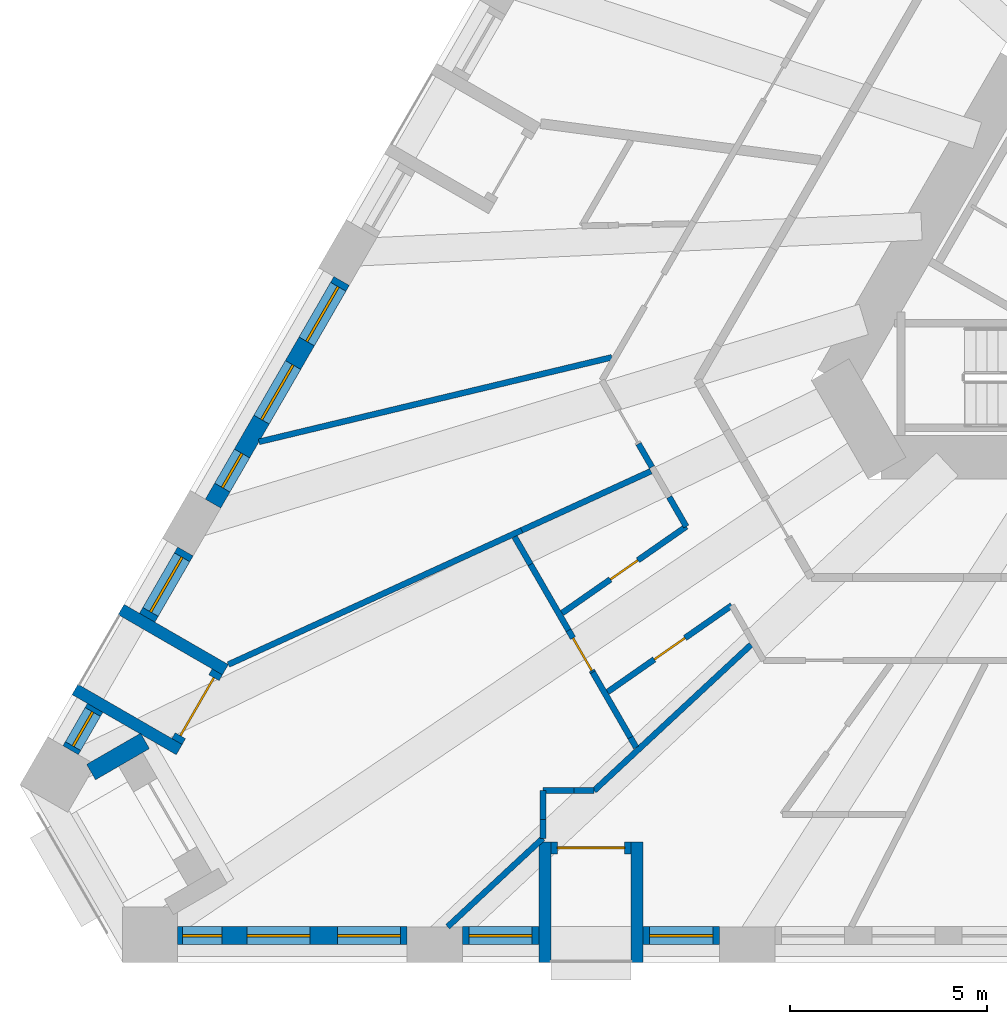
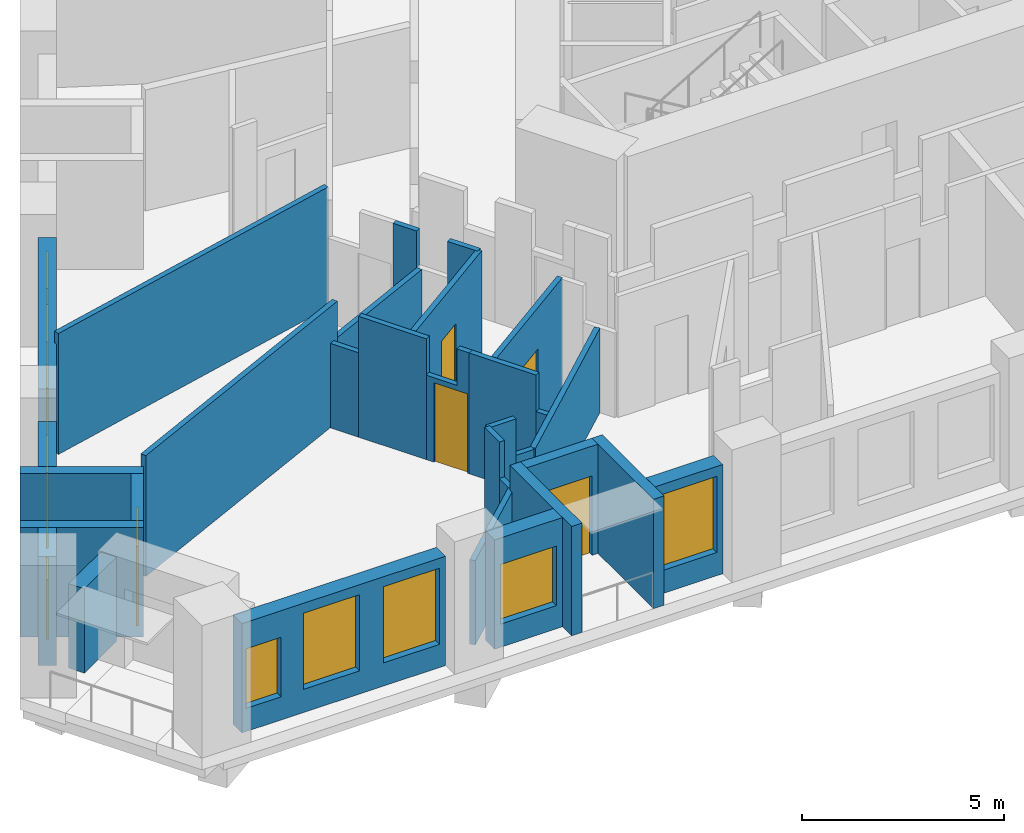
# One storey, part 2 of 14: 31 walls, 10 windows, 5 doors, 15 openings.
"""IFC4 building model written with IfcOpenShell, lengths in metres."""

from ifc_helpers import new_model, si_unit, direction, frame, frame_2d, origin, place, context, subcontext, project, spatial, polyline, rectangle, outline, extrude, material, layer, layer_set, type_object, element, fill, save


model = new_model("IFC4")

# Units and contexts
model_context = context("Model", 3, precision=1e-05, world=origin(), true_north=direction((0.0, 1.0)))
body_context = subcontext(model_context, "Body", "Model", "MODEL_VIEW")
ifc_project = project(units=[si_unit("LENGTHUNIT", "METRE"), si_unit("AREAUNIT", "SQUARE_METRE"), si_unit("VOLUMEUNIT", "CUBIC_METRE"), si_unit("PLANEANGLEUNIT", "RADIAN"), si_unit("MASSUNIT", "GRAM", prefix="KILO")], contexts=[model_context])

# Site, building, storey
site_placement = place(None, origin())
site = spatial("IfcSite", under=ifc_project, at=site_placement, CompositionType="ELEMENT")
building_placement = place(site_placement, origin())
building = spatial("IfcBuilding", under=site, at=building_placement, Name="Tramontana Tower", CompositionType="ELEMENT")
storey_placement = place(building_placement, frame((0.0, 0.0, 34.0)))
storey = spatial("IfcBuildingStorey", under=building, at=storey_placement, Name="L06", CompositionType="ELEMENT", Elevation=34.0)

# Wall, openings, windows
ifc_material_1 = material(Name="Precast concrete 60 MPa", Category="concrete")
ifc_layer_1 = layer(ifc_material_1, 0.449951171875)
ifc_layer_set_1 = layer_set([ifc_layer_1], Name="Precast concrete 60 MPa, 450 mm")
wall_type_1 = type_object("IfcWallType", Name="EW1 Stone-faced precast wall 450", PredefinedType="SOLIDWALL", material=ifc_layer_set_1)
wall_1_placement = place(storey_placement, frame((-22.158447265625, -1.7294921875, 0.0), z_axis=(0.0, 0.0, 1.0), x_axis=(-0.499990498062, -0.866030889661, 0.0)))
wall_1 = element("IfcWall", 1, at=wall_1_placement, inside=storey, type_object=wall_type_1, Name="External wall L06 face 0 bay 6", PredefinedType="SOLIDWALL", context=body_context, shape_type="SweptSolid", body=[
    extrude(rectangle(XDim=6.517822265625, YDim=0.449951171875, at=frame_2d((3.2587890625, 0.0))), origin(), (0.0, 0.0, 1.0), 3.300048828125),
])
opening_1_placement = place(wall_1_placement, frame((0.169677734375, 0.0, 0.699951171875)))
opening_1 = element("IfcOpeningElement", 2, at=opening_1_placement, cuts=wall_1, Name="Opening M1", PredefinedType="OPENING", context=body_context, shape_type="SweptSolid", body=[
    extrude(rectangle(XDim=1.60009765625, YDim=2.300048828125, at=frame_2d((0.800048828125, 1.14990234375))), frame((0.0, 0.23486328125, 0.0), z_axis=(0.0, -1.0, 0.0), x_axis=(1.0, 0.0, 0.0)), (0.0, 0.0, 1.0), 0.469970703125),
])
opening_2_placement = place(wall_1_placement, frame((2.458984375, 0.0, 0.699951171875)))
opening_2 = element("IfcOpeningElement", 3, at=opening_2_placement, cuts=wall_1, Name="Opening M1", PredefinedType="OPENING", context=body_context, shape_type="SweptSolid", body=[
    extrude(rectangle(XDim=1.60009765625, YDim=2.300048828125, at=frame_2d((0.800048828125, 1.14990234375))), frame((0.0, 0.23486328125, 0.0), z_axis=(0.0, -1.0, 0.0), x_axis=(1.0, 0.0, 0.0)), (0.0, 0.0, 1.0), 0.469970703125),
])
opening_3_placement = place(wall_1_placement, frame((5.04833984375, 0.0, 0.699951171875)))
opening_3 = element("IfcOpeningElement", 4, at=opening_3_placement, cuts=wall_1, Name="Opening N1", PredefinedType="OPENING", context=body_context, shape_type="SweptSolid", body=[
    extrude(rectangle(XDim=1.0, YDim=2.300048828125, at=frame_2d((0.5, 1.14990234375))), frame((0.0, 0.23486328125, 0.0), z_axis=(0.0, -1.0, 0.0), x_axis=(1.0, 0.0, 0.0)), (0.0, 0.0, 1.0), 0.469970703125),
])
ifc_material_2 = material(Name="Aluminum frame, double glazing unit", Category="aluminium")
window_type_1 = type_object("IfcWindowType", Name="M1 Window 1.6 x 2.3", PartitioningType="SINGLE_PANEL", PredefinedType="WINDOW", material=ifc_material_2)
window_1_placement = place(opening_1_placement, origin())
window_1 = element("IfcWindow", 5, at=window_1_placement, inside=storey, type_object=window_type_1, Name="Window M1 L06 face 0 module 16", OverallHeight=2.300048828125, OverallWidth=1.60009765625, PartitioningType="SINGLE_PANEL", PredefinedType="WINDOW", context=body_context, shape_type="SweptSolid", body=[
    extrude(rectangle(XDim=1.60009765625, YDim=2.300048828125, at=frame_2d((0.800048828125, 1.14990234375))), frame((0.0, 0.030029296875, 0.0), z_axis=(0.0, -1.0, 0.0), x_axis=(1.0, 0.0, 0.0)), (0.0, 0.0, 1.0), 0.06005859375),
])
fill(opening_1, window_1)
window_2_placement = place(opening_2_placement, origin())
window_2 = element("IfcWindow", 6, at=window_2_placement, inside=storey, type_object=window_type_1, Name="Window M1 L06 face 0 module 17", OverallHeight=2.300048828125, OverallWidth=1.60009765625, PartitioningType="SINGLE_PANEL", PredefinedType="WINDOW", context=body_context, shape_type="SweptSolid", body=[
    extrude(rectangle(XDim=1.60009765625, YDim=2.300048828125, at=frame_2d((0.800048828125, 1.14990234375))), frame((0.0, 0.030029296875, 0.0), z_axis=(0.0, -1.0, 0.0), x_axis=(1.0, 0.0, 0.0)), (0.0, 0.0, 1.0), 0.06005859375),
])
fill(opening_2, window_2)
ifc_material_3 = material(Name="Aluminum frame, double glazing unit", Category="aluminium")
window_type_2 = type_object("IfcWindowType", Name="N1 Window 1 x 2.3", PartitioningType="SINGLE_PANEL", PredefinedType="WINDOW", material=ifc_material_3)
window_3_placement = place(opening_3_placement, origin())
window_3 = element("IfcWindow", 7, at=window_3_placement, inside=storey, type_object=window_type_2, Name="Window N1 L06 face 0 module 18", OverallHeight=2.300048828125, OverallWidth=1.0, PartitioningType="SINGLE_PANEL", PredefinedType="WINDOW", context=body_context, shape_type="SweptSolid", body=[
    extrude(rectangle(XDim=1.0, YDim=2.300048828125, at=frame_2d((0.5, 1.14990234375))), frame((0.0, 0.030029296875, 0.0), z_axis=(0.0, -1.0, 0.0), x_axis=(1.0, 0.0, 0.0)), (0.0, 0.0, 1.0), 0.06005859375),
])
fill(opening_3, window_3)

# Wall, opening, window
wall_2_placement = place(storey_placement, frame((-26.117431640625, -8.586669921875, 0.0), z_axis=(0.0, 0.0, 1.0), x_axis=(-0.499944052521, -0.866057702667, 0.0)))
wall_2 = element("IfcWall", 8, at=wall_2_placement, inside=storey, type_object=wall_type_1, Name="External wall L06 face 0 bay 7", PredefinedType="SOLIDWALL", context=body_context, shape_type="SweptSolid", body=[
    extrude(rectangle(XDim=1.939208984375, YDim=0.449951171875, at=frame_2d((0.9697265625, 0.0))), origin(), (0.0, 0.0, 1.0), 3.300048828125),
])
opening_4_placement = place(wall_2_placement, frame((0.169677734375, 0.0, 0.699951171875)))
opening_4 = element("IfcOpeningElement", 9, at=opening_4_placement, cuts=wall_2, Name="Opening M1", PredefinedType="OPENING", context=body_context, shape_type="SweptSolid", body=[
    extrude(rectangle(XDim=1.60009765625, YDim=2.300048828125, at=frame_2d((0.800048828125, 1.14990234375))), frame((0.0, 0.23486328125, 0.0), z_axis=(0.0, -1.0, 0.0), x_axis=(1.0, 0.0, 0.0)), (0.0, 0.0, 1.0), 0.469970703125),
])
window_4_placement = place(opening_4_placement, origin())
window_4 = element("IfcWindow", 10, at=window_4_placement, inside=storey, type_object=window_type_1, Name="Window M1 L06 face 0 module 19", OverallHeight=2.300048828125, OverallWidth=1.60009765625, PartitioningType="SINGLE_PANEL", PredefinedType="WINDOW", context=body_context, shape_type="SweptSolid", body=[
    extrude(rectangle(XDim=1.60009765625, YDim=2.300048828125, at=frame_2d((0.800048828125, 1.14990234375))), frame((0.0, 0.030029296875, 0.0), z_axis=(0.0, -1.0, 0.0), x_axis=(1.0, 0.0, 0.0)), (0.0, 0.0, 1.0), 0.06005859375),
])
fill(opening_4, window_4)

wall_3_placement = place(storey_placement, frame((-28.40673828125, -12.5517578125, 0.0), z_axis=(0.0, 0.0, 1.0), x_axis=(-0.499995303914, -0.866028115054, 0.0)))
wall_3 = element("IfcWall", 11, at=wall_3_placement, inside=storey, type_object=wall_type_1, Name="External wall L06 face 0 bay 7", PredefinedType="SOLIDWALL", context=body_context, shape_type="SweptSolid", body=[
    extrude(rectangle(XDim=1.2392578125, YDim=0.449951171875, at=frame_2d((0.61962890625, 0.0))), origin(), (0.0, 0.0, 1.0), 3.300048828125),
])
opening_5_placement = place(wall_3_placement, frame((0.11962890625, 0.0, 0.699951171875)))
opening_5 = element("IfcOpeningElement", 12, at=opening_5_placement, cuts=wall_3, Name="Opening N1L", PredefinedType="OPENING", context=body_context, shape_type="SweptSolid", body=[
    extrude(rectangle(XDim=1.0, YDim=1.800048828125, at=frame_2d((0.5, 0.89990234375))), frame((0.0, 0.23486328125, 0.0), z_axis=(0.0, -1.0, 0.0), x_axis=(1.0, 0.0, 0.0)), (0.0, 0.0, 1.0), 0.469970703125),
])
ifc_material_4 = material(Name="Aluminum frame, double glazing unit", Category="aluminium")
window_type_3 = type_object("IfcWindowType", Name="N1L Window 1 x 1.8", PartitioningType="SINGLE_PANEL", PredefinedType="WINDOW", material=ifc_material_4)
window_5_placement = place(opening_5_placement, origin())
window_5 = element("IfcWindow", 13, at=window_5_placement, inside=storey, type_object=window_type_3, Name="Window N1L L06 face 0 module 21", OverallHeight=1.800048828125, OverallWidth=1.0, PartitioningType="SINGLE_PANEL", PredefinedType="WINDOW", context=body_context, shape_type="SweptSolid", body=[
    extrude(rectangle(XDim=1.0, YDim=1.800048828125, at=frame_2d((0.5, 0.89990234375))), frame((0.0, 0.030029296875, 0.0), z_axis=(0.0, -1.0, 0.0), x_axis=(1.0, 0.0, 0.0)), (0.0, 0.0, 1.0), 0.06005859375),
])
fill(opening_5, window_5)

# Wall, openings, windows
wall_4_placement = place(storey_placement, frame((-26.312744140625, -18.324951171875, 0.0), z_axis=(0.0, 0.0, 1.0), x_axis=(1.0, 0.0, 0.0)))
wall_4 = element("IfcWall", 14, at=wall_4_placement, inside=storey, type_object=wall_type_1, Name="External wall L06 face 1 bay 1", PredefinedType="SOLIDWALL", context=body_context, shape_type="SweptSolid", body=[
    extrude(rectangle(XDim=5.81787109375, YDim=0.449951171875, at=frame_2d((2.908935546875, 0.0))), origin(), (0.0, 0.0, 1.0), 3.300048828125),
])
opening_6_placement = place(wall_4_placement, frame((0.11962890625, 0.0, 0.699951171875)))
opening_6 = element("IfcOpeningElement", 15, at=opening_6_placement, cuts=wall_4, Name="Opening N1L", PredefinedType="OPENING", context=body_context, shape_type="SweptSolid", body=[
    extrude(rectangle(XDim=1.0, YDim=1.800048828125, at=frame_2d((0.5, 0.89990234375))), frame((0.0, 0.23486328125, 0.0), z_axis=(0.0, -1.0, 0.0), x_axis=(1.0, 0.0, 0.0)), (0.0, 0.0, 1.0), 0.469970703125),
])
opening_7_placement = place(wall_4_placement, frame((1.759033203125, 0.0, 0.699951171875)))
opening_7 = element("IfcOpeningElement", 16, at=opening_7_placement, cuts=wall_4, Name="Opening M1", PredefinedType="OPENING", context=body_context, shape_type="SweptSolid", body=[
    extrude(rectangle(XDim=1.60009765625, YDim=2.300048828125, at=frame_2d((0.800048828125, 1.14990234375))), frame((0.0, 0.23486328125, 0.0), z_axis=(0.0, -1.0, 0.0), x_axis=(1.0, 0.0, 0.0)), (0.0, 0.0, 1.0), 0.469970703125),
])
opening_8_placement = place(wall_4_placement, frame((4.04833984375, 0.0, 0.699951171875)))
opening_8 = element("IfcOpeningElement", 17, at=opening_8_placement, cuts=wall_4, Name="Opening M1", PredefinedType="OPENING", context=body_context, shape_type="SweptSolid", body=[
    extrude(rectangle(XDim=1.60009765625, YDim=2.300048828125, at=frame_2d((0.800048828125, 1.14990234375))), frame((0.0, 0.23486328125, 0.0), z_axis=(0.0, -1.0, 0.0), x_axis=(1.0, 0.0, 0.0)), (0.0, 0.0, 1.0), 0.469970703125),
])
window_6_placement = place(opening_7_placement, origin())
window_6 = element("IfcWindow", 18, at=window_6_placement, inside=storey, type_object=window_type_1, Name="Window M1 L06 face 1 module 2", OverallHeight=2.300048828125, OverallWidth=1.60009765625, PartitioningType="SINGLE_PANEL", PredefinedType="WINDOW", context=body_context, shape_type="SweptSolid", body=[
    extrude(rectangle(XDim=1.60009765625, YDim=2.300048828125, at=frame_2d((0.800048828125, 1.14990234375))), frame((0.0, 0.030029296875, 0.0), z_axis=(0.0, -1.0, 0.0), x_axis=(1.0, 0.0, 0.0)), (0.0, 0.0, 1.0), 0.06005859375),
])
fill(opening_7, window_6)
window_7_placement = place(opening_8_placement, origin())
window_7 = element("IfcWindow", 19, at=window_7_placement, inside=storey, type_object=window_type_1, Name="Window M1 L06 face 1 module 3", OverallHeight=2.300048828125, OverallWidth=1.60009765625, PartitioningType="SINGLE_PANEL", PredefinedType="WINDOW", context=body_context, shape_type="SweptSolid", body=[
    extrude(rectangle(XDim=1.60009765625, YDim=2.300048828125, at=frame_2d((0.800048828125, 1.14990234375))), frame((0.0, 0.030029296875, 0.0), z_axis=(0.0, -1.0, 0.0), x_axis=(1.0, 0.0, 0.0)), (0.0, 0.0, 1.0), 0.06005859375),
])
fill(opening_8, window_7)
window_8_placement = place(opening_6_placement, origin())
window_8 = element("IfcWindow", 20, at=window_8_placement, inside=storey, type_object=window_type_3, Name="Window N1L L06 face 1 module 1", OverallHeight=1.800048828125, OverallWidth=1.0, PartitioningType="SINGLE_PANEL", PredefinedType="WINDOW", context=body_context, shape_type="SweptSolid", body=[
    extrude(rectangle(XDim=1.0, YDim=1.800048828125, at=frame_2d((0.5, 0.89990234375))), frame((0.0, 0.030029296875, 0.0), z_axis=(0.0, -1.0, 0.0), x_axis=(1.0, 0.0, 0.0)), (0.0, 0.0, 1.0), 0.06005859375),
])
fill(opening_6, window_8)

# Wall, opening, window
wall_5_placement = place(storey_placement, frame((-19.094970703125, -18.324951171875, 0.0), z_axis=(0.0, 0.0, 1.0), x_axis=(1.0, 0.0, 0.0)))
wall_5 = element("IfcWall", 21, at=wall_5_placement, inside=storey, type_object=wall_type_1, Name="External wall L06 face 1 bay 2", PredefinedType="SOLIDWALL", context=body_context, shape_type="SweptSolid", body=[
    extrude(rectangle(XDim=1.939453125, YDim=0.449951171875, at=frame_2d((0.9697265625, 0.0))), origin(), (0.0, 0.0, 1.0), 3.300048828125),
])
opening_9_placement = place(wall_5_placement, frame((0.169677734375, 0.0, 0.699951171875)))
opening_9 = element("IfcOpeningElement", 22, at=opening_9_placement, cuts=wall_5, Name="Opening M1L", PredefinedType="OPENING", context=body_context, shape_type="SweptSolid", body=[
    extrude(rectangle(XDim=1.60009765625, YDim=1.800048828125, at=frame_2d((0.800048828125, 0.89990234375))), frame((0.0, 0.23486328125, 0.0), z_axis=(0.0, -1.0, 0.0), x_axis=(1.0, 0.0, 0.0)), (0.0, 0.0, 1.0), 0.469970703125),
])
ifc_material_5 = material(Name="Aluminum frame, double glazing unit", Category="aluminium")
window_type_4 = type_object("IfcWindowType", Name="M1L Window 1.6 x 1.8", PartitioningType="SINGLE_PANEL", PredefinedType="WINDOW", material=ifc_material_5)
window_9_placement = place(opening_9_placement, origin())
window_9 = element("IfcWindow", 23, at=window_9_placement, inside=storey, type_object=window_type_4, Name="Window M1L L06 face 1 module 4", OverallHeight=1.800048828125, OverallWidth=1.60009765625, PartitioningType="SINGLE_PANEL", PredefinedType="WINDOW", context=body_context, shape_type="SweptSolid", body=[
    extrude(rectangle(XDim=1.60009765625, YDim=1.800048828125, at=frame_2d((0.800048828125, 0.89990234375))), frame((0.0, 0.030029296875, 0.0), z_axis=(0.0, -1.0, 0.0), x_axis=(1.0, 0.0, 0.0)), (0.0, 0.0, 1.0), 0.06005859375),
])
fill(opening_9, window_9)

wall_6_placement = place(storey_placement, frame((-14.51611328125, -18.324951171875, 0.0), z_axis=(0.0, 0.0, 1.0), x_axis=(1.0, 0.0, 0.0)))
wall_6 = element("IfcWall", 24, at=wall_6_placement, inside=storey, type_object=wall_type_1, Name="External wall L06 face 1 bay 2", PredefinedType="SOLIDWALL", context=body_context, shape_type="SweptSolid", body=[
    extrude(rectangle(XDim=1.939208984375, YDim=0.449951171875, at=frame_2d((0.9697265625, 0.0))), origin(), (0.0, 0.0, 1.0), 3.300048828125),
])
opening_10_placement = place(wall_6_placement, frame((0.169677734375, 0.0, 0.699951171875)))
opening_10 = element("IfcOpeningElement", 25, at=opening_10_placement, cuts=wall_6, Name="Opening M1", PredefinedType="OPENING", context=body_context, shape_type="SweptSolid", body=[
    extrude(rectangle(XDim=1.60009765625, YDim=2.300048828125, at=frame_2d((0.800048828125, 1.14990234375))), frame((0.0, 0.23486328125, 0.0), z_axis=(0.0, -1.0, 0.0), x_axis=(1.0, 0.0, 0.0)), (0.0, 0.0, 1.0), 0.469970703125),
])
window_10_placement = place(opening_10_placement, origin())
window_10 = element("IfcWindow", 26, at=window_10_placement, inside=storey, type_object=window_type_1, Name="Window M1 L06 face 1 module 6", OverallHeight=2.300048828125, OverallWidth=1.60009765625, PartitioningType="SINGLE_PANEL", PredefinedType="WINDOW", context=body_context, shape_type="SweptSolid", body=[
    extrude(rectangle(XDim=1.60009765625, YDim=2.300048828125, at=frame_2d((0.800048828125, 1.14990234375))), frame((0.0, 0.030029296875, 0.0), z_axis=(0.0, -1.0, 0.0), x_axis=(1.0, 0.0, 0.0)), (0.0, 0.0, 1.0), 0.06005859375),
])
fill(opening_10, window_10)

# Wall
wall_7_placement = place(storey_placement, frame((-28.509033203125, -14.17919921875, 0.0), z_axis=(0.0, 0.0, 1.0), x_axis=(0.866046570609, 0.499963336192, 0.0)))
element("IfcWall", 27, at=wall_7_placement, inside=storey, type_object=wall_type_1, Name="Corner loggia side wall L06 K01r", PredefinedType="SOLIDWALL", context=body_context, shape_type="SweptSolid", body=[
    extrude(rectangle(XDim=1.5791015625, YDim=0.449951171875, at=frame_2d((0.78955078125, 0.0))), origin(), (0.0, 0.0, 1.0), 2.550048828125),
])

# Wall, opening, door
ifc_material_6 = material(Name="Precast concrete 60 MPa", Category="concrete")
ifc_layer_2 = layer(ifc_material_6, 0.300048828125)
ifc_layer_set_2 = layer_set([ifc_layer_2], Name="LW1 Stone-faced loggia wall 300")
wall_type_2 = type_object("IfcWallType", Name="LW1 Stone-faced loggia wall 300", PredefinedType="SOLIDWALL", material=ifc_layer_set_2)
wall_8_placement = place(storey_placement, frame((-25.31005859375, -11.638427734375, 0.0), z_axis=(0.0, 0.0, 1.0), x_axis=(-0.500040236659, -0.866002171892, 0.0)))
wall_8 = element("IfcWall", 28, at=wall_8_placement, inside=storey, type_object=wall_type_2, Name="Loggia wall L06 G0S0.19", PredefinedType="SOLIDWALL", context=body_context, shape_type="SweptSolid", body=[
    extrude(rectangle(XDim=2.039306640625, YDim=0.300048828125, at=frame_2d((1.01953125, 0.0))), origin(), (0.0, 0.0, 1.0), 3.300048828125),
])
opening_11_placement = place(wall_8_placement, frame((0.169677734375, 0.0, 0.0)))
opening_11 = element("IfcOpeningElement", 29, at=opening_11_placement, cuts=wall_8, Name="Opening BD-0S0-19", PredefinedType="OPENING", context=body_context, shape_type="SweptSolid", body=[
    extrude(rectangle(XDim=1.699951171875, YDim=2.39990234375, at=frame_2d((0.85009765625, 1.199951171875))), frame((0.0, 0.159912109375, 0.0), z_axis=(0.0, -1.0, 0.0), x_axis=(1.0, 0.0, 0.0)), (0.0, 0.0, 1.0), 0.320068359375),
])
ifc_material_7 = material(Name="Aluminum frame, double glazing unit", Category="aluminium")
door_type_1 = type_object("IfcDoorType", Name="BD1 Sliding door 1.7 x 2.4", OperationType="SLIDING_TO_LEFT", PredefinedType="DOOR", material=ifc_material_7)
door_1_placement = place(opening_11_placement, origin())
door_1 = element("IfcDoor", 30, at=door_1_placement, inside=storey, type_object=door_type_1, Name="Loggia door L06 G0S0.19", OperationType="SLIDING_TO_LEFT", OverallHeight=2.39990234375, OverallWidth=1.699951171875, PredefinedType="DOOR", context=body_context, shape_type="SweptSolid", body=[
    extrude(rectangle(XDim=1.699951171875, YDim=2.39990234375, at=frame_2d((0.85009765625, 1.199951171875))), frame((0.0, 0.02490234375, 0.0), z_axis=(0.0, -1.0, 0.0), x_axis=(1.0, 0.0, 0.0)), (0.0, 0.0, 1.0), 0.050048828125),
])
fill(opening_11, door_1)

# Walls
for number, where, z_axis, x_axis, name in (
    (31, (-27.74658203125, -10.05859375, 0.0), (0.0, 0.0, 1.0), (0.866037623948, -0.499978833458, 0.0), "Loggia return L06 G0S0.19a"),
    (32, (-28.916259765625, -12.08447265625, 0.0), (0.0, 0.0, 1.0), (0.866037623948, -0.499978833458, 0.0), "Loggia return L06 G0S0.19b"),
):
    element("IfcWall", number, at=place(storey_placement, frame(where, z_axis=z_axis, x_axis=x_axis)), inside=storey, type_object=wall_type_2, Name=name, PredefinedType="SOLIDWALL", context=body_context, shape_type="SweptSolid", body=[
        extrude(rectangle(XDim=3.050048828125, YDim=0.300048828125, at=frame_2d((1.52490234375, 0.0))), origin(), (0.0, 0.0, 1.0), 3.300048828125),
    ])

# Wall, opening, door
wall_9_placement = place(storey_placement, frame((-16.85546875, -16.10009765625, 0.0), z_axis=(0.0, 0.0, 1.0), x_axis=(1.0, 0.0, 0.0)))
wall_9 = element("IfcWall", 33, at=wall_9_placement, inside=storey, type_object=wall_type_2, Name="Loggia wall L06 G0S1.4", PredefinedType="SOLIDWALL", context=body_context, shape_type="SweptSolid", body=[
    extrude(rectangle(XDim=2.039306640625, YDim=0.300048828125, at=frame_2d((1.01953125, 0.0))), origin(), (0.0, 0.0, 1.0), 3.300048828125),
])
opening_12_placement = place(wall_9_placement, frame((0.169677734375, 0.0, 0.0)))
opening_12 = element("IfcOpeningElement", 34, at=opening_12_placement, cuts=wall_9, Name="Opening BD-0S1-04", PredefinedType="OPENING", context=body_context, shape_type="SweptSolid", body=[
    extrude(rectangle(XDim=1.699951171875, YDim=2.39990234375, at=frame_2d((0.85009765625, 1.199951171875))), frame((0.0, 0.159912109375, 0.0), z_axis=(0.0, -1.0, 0.0), x_axis=(1.0, 0.0, 0.0)), (0.0, 0.0, 1.0), 0.320068359375),
])
door_2_placement = place(opening_12_placement, origin())
door_2 = element("IfcDoor", 35, at=door_2_placement, inside=storey, type_object=door_type_1, Name="Loggia door L06 G0S1.4", OperationType="SLIDING_TO_LEFT", OverallHeight=2.39990234375, OverallWidth=1.699951171875, PredefinedType="DOOR", context=body_context, shape_type="SweptSolid", body=[
    extrude(rectangle(XDim=1.699951171875, YDim=2.39990234375, at=frame_2d((0.85009765625, 1.199951171875))), frame((0.0, 0.02490234375, 0.0), z_axis=(0.0, -1.0, 0.0), x_axis=(1.0, 0.0, 0.0)), (0.0, 0.0, 1.0), 0.050048828125),
])
fill(opening_12, door_2)

# Walls
for number, where, z_axis, x_axis, name in (
    (36, (-17.005615234375, -19.0, 0.0), (0.0, 0.0, 1.0), (0.0, 1.0, 0.0), "Loggia return L06 G0S1.4a"),
    (37, (-14.666259765625, -19.0, 0.0), (0.0, 0.0, 1.0), (0.0, 1.0, 0.0), "Loggia return L06 G0S1.4b"),
):
    element("IfcWall", number, at=place(storey_placement, frame(where, z_axis=z_axis, x_axis=x_axis)), inside=storey, type_object=wall_type_2, Name=name, PredefinedType="SOLIDWALL", context=body_context, shape_type="SweptSolid", body=[
        extrude(rectangle(XDim=3.050048828125, YDim=0.300048828125, at=frame_2d((1.52490234375, 0.0))), origin(), (0.0, 0.0, 1.0), 3.300048828125),
    ])
ifc_material_8 = material(Name="Gypsum board partition")
ifc_layer_3 = layer(ifc_material_8, 0.14990234375)
ifc_layer_set_3 = layer_set([ifc_layer_3], Name="PARTITION 150")
wall_type_3 = type_object("IfcWallType", Name="PARTITION 150", PredefinedType="PARTITIONING", material=ifc_layer_set_3)
wall_10_placement = place(storey_placement, frame((-25.030029296875, -11.45361328125, 0.0), z_axis=(0.0, 0.0, 1.0), x_axis=(0.9093167054, 0.416104709516, 0.0)))
element("IfcWall", 38, at=wall_10_placement, inside=storey, type_object=wall_type_3, Name="Wall v01-pw00-0", PredefinedType="PARTITIONING", context=body_context, shape_type="SweptSolid", body=[
    extrude(rectangle(XDim=8.178466796875, YDim=0.14990234375, at=frame_2d((4.08935546875, 0.0))), origin(), (0.0, 0.0, 1.0), 3.64990234375),
])
wall_11_placement = place(storey_placement, frame((-17.59326171875, -8.050537109375, 0.0), z_axis=(0.0, 0.0, 1.0), x_axis=(0.909319198756, 0.416099260722, 0.0)))
element("IfcWall", 39, at=wall_11_placement, inside=storey, type_object=wall_type_3, Name="Wall v01-pw00-1", PredefinedType="PARTITIONING", context=body_context, shape_type="SweptSolid", body=[
    extrude(rectangle(XDim=3.6025390625, YDim=0.14990234375, at=frame_2d((1.80126953125, 0.0))), origin(), (0.0, 0.0, 1.0), 2.550048828125),
])
wall_12_placement = place(storey_placement, frame((-24.2529296875, -5.80712890625, 0.0), z_axis=(0.0, 0.0, 1.0), x_axis=(0.97251005754, 0.232860876887, 0.0)))
element("IfcWall", 40, at=wall_12_placement, inside=storey, type_object=wall_type_3, Name="Wall v01-pw01", PredefinedType="PARTITIONING", context=body_context, shape_type="SweptSolid", body=[
    extrude(rectangle(XDim=9.197021484375, YDim=0.14990234375, at=frame_2d((4.5986328125, 0.0))), origin(), (0.0, 0.0, 1.0), 3.64990234375),
])
wall_13_placement = place(storey_placement, frame((-17.055908203125, -15.857177734375, 0.0), z_axis=(0.0, 0.0, 1.0), x_axis=(-0.732360368871, -0.680917241746, 0.0)))
element("IfcWall", 41, at=wall_13_placement, inside=storey, type_object=wall_type_3, Name="Wall v01-pw02-0", PredefinedType="PARTITIONING", context=body_context, shape_type="SweptSolid", body=[
    extrude(rectangle(XDim=3.293701171875, YDim=0.14990234375, at=frame_2d((1.64697265625, 0.0))), origin(), (0.0, 0.0, 1.0), 2.550048828125),
])
wall_14_placement = place(storey_placement, frame((-17.0556640625, -14.65185546875, 0.0), z_axis=(0.0, 0.0, 1.0), x_axis=(0.0, -1.0, 0.0)))
element("IfcWall", 42, at=wall_14_placement, inside=storey, type_object=wall_type_3, Name="Wall v01-pw03-0", PredefinedType="PARTITIONING", context=body_context, shape_type="SweptSolid", body=[
    extrude(rectangle(XDim=0.731689453125, YDim=0.14990234375, at=frame_2d((0.36572265625, 0.0))), origin(), (0.0, 0.0, 1.0), 3.64990234375),
])
wall_15_placement = place(storey_placement, frame((-17.0556640625, -15.383544921875, 0.0), z_axis=(0.0, 0.0, 1.0), x_axis=(0.0, -1.0, 0.0)))
element("IfcWall", 43, at=wall_15_placement, inside=storey, type_object=wall_type_3, Name="Wall v01-pw03-1", PredefinedType="PARTITIONING", context=body_context, shape_type="SweptSolid", body=[
    extrude(rectangle(XDim=0.4736328125, YDim=0.14990234375, at=frame_2d((0.23681640625, 0.0))), origin(), (0.0, 0.0, 1.0), 2.550048828125),
])

# Wall, opening, door
wall_16_placement = place(storey_placement, frame((-16.570068359375, -10.14990234375, 0.0), z_axis=(0.0, 0.0, 1.0), x_axis=(0.820344824586, 0.571869188517, 0.0)))
wall_16 = element("IfcWall", 44, at=wall_16_placement, inside=storey, type_object=wall_type_3, Name="Wall v01-pw04", PredefinedType="PARTITIONING", context=body_context, shape_type="SweptSolid", body=[
    extrude(rectangle(XDim=3.8388671875, YDim=0.14990234375, at=frame_2d((1.91943359375, 0.0))), origin(), (0.0, 0.0, 1.0), 3.64990234375),
])
opening_13_placement = place(wall_16_placement, frame((1.494384765625, 0.0, 0.0)))
opening_13 = element("IfcOpeningElement", 45, at=opening_13_placement, cuts=wall_16, Name="Opening B0B-15", PredefinedType="OPENING", context=body_context, shape_type="SweptSolid", body=[
    extrude(rectangle(XDim=0.85009765625, YDim=2.39990234375, at=frame_2d((0.425048828125, 1.199951171875))), frame((0.0, 0.0849609375, 0.0), z_axis=(0.0, -1.0, 0.0), x_axis=(1.0, 0.0, 0.0)), (0.0, 0.0, 1.0), 0.169921875),
])
ifc_material_9 = material(Name="Painted timber", Category="wood")
door_type_2 = type_object("IfcDoorType", Name="DOOR BATH 850", OperationType="SINGLE_SWING_LEFT", PredefinedType="DOOR", material=ifc_material_9)
door_3_placement = place(opening_13_placement, origin())
door_3 = element("IfcDoor", 46, at=door_3_placement, inside=storey, type_object=door_type_2, Name="Door B0B-15", OperationType="SINGLE_SWING_LEFT", OverallHeight=2.39990234375, OverallWidth=0.85009765625, PredefinedType="DOOR", context=body_context, shape_type="SweptSolid", body=[
    extrude(rectangle(XDim=0.85009765625, YDim=2.39990234375, at=frame_2d((0.425048828125, 1.199951171875))), frame((0.0, 0.02490234375, 0.0), z_axis=(0.0, -1.0, 0.0), x_axis=(1.0, 0.0, 0.0)), (0.0, 0.0, 1.0), 0.050048828125),
])
fill(opening_13, door_3)

# Walls
wall_17_placement = place(storey_placement, frame((-15.757080078125, -14.64990234375, 0.0), z_axis=(0.0, 0.0, 1.0), x_axis=(-1.0, 0.0, 0.0)))
element("IfcWall", 47, at=wall_17_placement, inside=storey, type_object=wall_type_3, Name="Wall v01-pw06-0", PredefinedType="PARTITIONING", context=body_context, shape_type="SweptSolid", body=[
    extrude(rectangle(XDim=0.515625, YDim=0.14990234375, at=frame_2d((0.2578125, 0.0))), origin(), (0.0, 0.0, 1.0), 2.550048828125),
])
wall_18_placement = place(storey_placement, frame((-16.272705078125, -14.64990234375, 0.0), z_axis=(0.0, 0.0, 1.0), x_axis=(-1.0, 0.0, 0.0)))
element("IfcWall", 48, at=wall_18_placement, inside=storey, type_object=wall_type_3, Name="Wall v01-pw06-1", PredefinedType="PARTITIONING", context=body_context, shape_type="SweptSolid", body=[
    extrude(rectangle(XDim=0.781005859375, YDim=0.14990234375, at=frame_2d((0.390625, 0.0))), origin(), (0.0, 0.0, 1.0), 3.64990234375),
])
wall_19_placement = place(storey_placement, frame((-14.6904296875, -13.5556640625, 0.0), z_axis=(0.0, 0.0, 1.0), x_axis=(-0.499746649774, 0.866171626203, 0.0)))
element("IfcWall", 49, at=wall_19_placement, inside=storey, type_object=wall_type_3, Name="Wall v01-pw08-0", PredefinedType="PARTITIONING", context=body_context, shape_type="SweptSolid", body=[
    extrude(rectangle(XDim=0.291259765625, YDim=0.14990234375, at=frame_2d((0.1455078125, 0.0))), origin(), (0.0, 0.0, 1.0), 2.550048828125),
])
wall_20_placement = place(storey_placement, frame((-14.8359375, -13.303466796875, 0.0), z_axis=(0.0, 0.0, 1.0), x_axis=(-0.500024487898, 0.866011265228, 0.0)))
element("IfcWall", 50, at=wall_20_placement, inside=storey, type_object=wall_type_3, Name="Wall v01-pw08-1", PredefinedType="PARTITIONING", context=body_context, shape_type="SweptSolid", body=[
    extrude(rectangle(XDim=1.91259765625, YDim=0.14990234375, at=frame_2d((0.956298828125, 0.0))), origin(), (0.0, 0.0, 1.0), 3.64990234375),
])

# Wall, opening, door
wall_21_placement = place(storey_placement, frame((-15.792236328125, -11.647216796875, 0.0), z_axis=(0.0, 0.0, 1.0), x_axis=(-0.500015484165, 0.866016463813, 0.0)))
wall_21 = element("IfcWall", 51, at=wall_21_placement, inside=storey, type_object=wall_type_3, Name="Wall v01-pw08-2", PredefinedType="PARTITIONING", context=body_context, shape_type="SweptSolid", body=[
    extrude(outline(polyline([(0.0, 0.0), (1.22607421875, 0.0), (1.22607421875, 2.550048828125), (0.3486328125, 2.550048828125), (0.3486328125, 3.64990234375), (0.0, 3.64990234375), (0.0, 0.0)])), frame((0.0, 0.074951171875, 0.0), z_axis=(0.0, -1.0, 0.0), x_axis=(1.0, 0.0, 0.0)), (0.0, 0.0, 1.0), 0.14990234375),
])
opening_14_placement = place(wall_21_placement, frame((0.050048828125, 0.0, 0.0)))
opening_14 = element("IfcOpeningElement", 52, at=opening_14_placement, cuts=wall_21, Name="Opening B0B-16", PredefinedType="OPENING", context=body_context, shape_type="SweptSolid", body=[
    extrude(rectangle(XDim=0.949951171875, YDim=2.39990234375, at=frame_2d((0.47509765625, 1.199951171875))), frame((0.0, 0.0849609375, 0.0), z_axis=(0.0, -1.0, 0.0), x_axis=(1.0, 0.0, 0.0)), (0.0, 0.0, 1.0), 0.169921875),
])
ifc_material_10 = material(Name="Painted timber", Category="wood")
door_type_3 = type_object("IfcDoorType", Name="DOOR ROOM 950", OperationType="SINGLE_SWING_LEFT", PredefinedType="DOOR", material=ifc_material_10)
door_4_placement = place(opening_14_placement, origin())
door_4 = element("IfcDoor", 53, at=door_4_placement, inside=storey, type_object=door_type_3, Name="Door B0B-16", OperationType="SINGLE_SWING_RIGHT", OverallHeight=2.39990234375, OverallWidth=0.949951171875, PredefinedType="DOOR", context=body_context, shape_type="SweptSolid", body=[
    extrude(rectangle(XDim=0.949951171875, YDim=2.39990234375, at=frame_2d((0.47509765625, 1.199951171875))), frame((0.0, 0.02490234375, 0.0), z_axis=(0.0, -1.0, 0.0), x_axis=(1.0, 0.0, 0.0)), (0.0, 0.0, 1.0), 0.050048828125),
])
fill(opening_14, door_4)

# Walls
wall_22_placement = place(storey_placement, frame((-16.4052734375, -10.58544921875, 0.0), z_axis=(0.0, 0.0, 1.0), x_axis=(-0.499963437846, 0.866046511925, 0.0)))
element("IfcWall", 54, at=wall_22_placement, inside=storey, type_object=wall_type_3, Name="Wall v01-pw08-3", PredefinedType="PARTITIONING", context=body_context, shape_type="SweptSolid", body=[
    extrude(rectangle(XDim=1.929443359375, YDim=0.14990234375, at=frame_2d((0.96484375, 0.0))), origin(), (0.0, 0.0, 1.0), 3.64990234375),
])
wall_23_placement = place(storey_placement, frame((-17.369873046875, -8.91455078125, 0.0), z_axis=(0.0, 0.0, 1.0), x_axis=(-0.500010476433, 0.866019355129, 0.0)))
element("IfcWall", 55, at=wall_23_placement, inside=storey, type_object=wall_type_3, Name="Wall v01-pw08-4", PredefinedType="PARTITIONING", context=body_context, shape_type="SweptSolid", body=[
    extrude(rectangle(XDim=0.80712890625, YDim=0.14990234375, at=frame_2d((0.403564453125, 0.0))), origin(), (0.0, 0.0, 1.0), 2.550048828125),
])
wall_24_placement = place(storey_placement, frame((-13.4208984375, -7.95458984375, 0.0), z_axis=(0.0, 0.0, 1.0), x_axis=(-0.499975693202, 0.866039436866, 0.0)))
element("IfcWall", 56, at=wall_24_placement, inside=storey, type_object=wall_type_3, Name="Wall v01-pw09-0", PredefinedType="PARTITIONING", context=body_context, shape_type="SweptSolid", body=[
    extrude(rectangle(XDim=0.8623046875, YDim=0.14990234375, at=frame_2d((0.43115234375, 0.0))), origin(), (0.0, 0.0, 1.0), 3.64990234375),
])
wall_25_placement = place(storey_placement, frame((-14.29052734375, -6.447998046875, 0.0), z_axis=(0.0, 0.0, 1.0), x_axis=(-0.500187988959, 0.865916841101, 0.0)))
element("IfcWall", 57, at=wall_25_placement, inside=storey, type_object=wall_type_3, Name="Wall v01-pw09-2", PredefinedType="PARTITIONING", context=body_context, shape_type="SweptSolid", body=[
    extrude(rectangle(XDim=0.680908203125, YDim=0.14990234375, at=frame_2d((0.34033203125, 0.0))), origin(), (0.0, 0.0, 1.0), 3.64990234375),
])

# Wall, opening, door
wall_26_placement = place(storey_placement, frame((-12.2666015625, -9.95361328125, 0.0), z_axis=(0.0, 0.0, 1.0), x_axis=(-0.82031498904, -0.571911985149, 0.0)))
wall_26 = element("IfcWall", 58, at=wall_26_placement, inside=storey, type_object=wall_type_3, Name="Wall v01-pw11", PredefinedType="PARTITIONING", context=body_context, shape_type="SweptSolid", body=[
    extrude(rectangle(XDim=3.8388671875, YDim=0.14990234375, at=frame_2d((1.91943359375, 0.0))), origin(), (0.0, 0.0, 1.0), 3.64990234375),
])
opening_15_placement = place(wall_26_placement, frame((1.444580078125, 0.0, 0.0)))
opening_15 = element("IfcOpeningElement", 59, at=opening_15_placement, cuts=wall_26, Name="Opening B0B-14", PredefinedType="OPENING", context=body_context, shape_type="SweptSolid", body=[
    extrude(rectangle(XDim=0.949951171875, YDim=2.39990234375, at=frame_2d((0.47509765625, 1.199951171875))), frame((0.0, 0.0849609375, 0.0), z_axis=(0.0, -1.0, 0.0), x_axis=(1.0, 0.0, 0.0)), (0.0, 0.0, 1.0), 0.169921875),
])
door_5_placement = place(opening_15_placement, origin())
door_5 = element("IfcDoor", 60, at=door_5_placement, inside=storey, type_object=door_type_3, Name="Door B0B-14", OperationType="SINGLE_SWING_RIGHT", OverallHeight=2.39990234375, OverallWidth=0.949951171875, PredefinedType="DOOR", context=body_context, shape_type="SweptSolid", body=[
    extrude(rectangle(XDim=0.949951171875, YDim=2.39990234375, at=frame_2d((0.47509765625, 1.199951171875))), frame((0.0, 0.02490234375, 0.0), z_axis=(0.0, -1.0, 0.0), x_axis=(1.0, 0.0, 0.0)), (0.0, 0.0, 1.0), 0.050048828125),
])
fill(opening_15, door_5)

# Wall
wall_27_placement = place(storey_placement, frame((-11.77783203125, -10.9501953125, 0.0), z_axis=(0.0, 0.0, 1.0), x_axis=(-0.732385257288, -0.680890472034, 0.0)))
element("IfcWall", 61, at=wall_27_placement, inside=storey, type_object=wall_type_3, Name="Wall v01-pw12-0", PredefinedType="PARTITIONING", context=body_context, shape_type="SweptSolid", body=[
    extrude(rectangle(XDim=5.433349609375, YDim=0.14990234375, at=frame_2d((2.716796875, 0.0))), origin(), (0.0, 0.0, 1.0), 2.550048828125),
])

save(model, "model.ifc")
